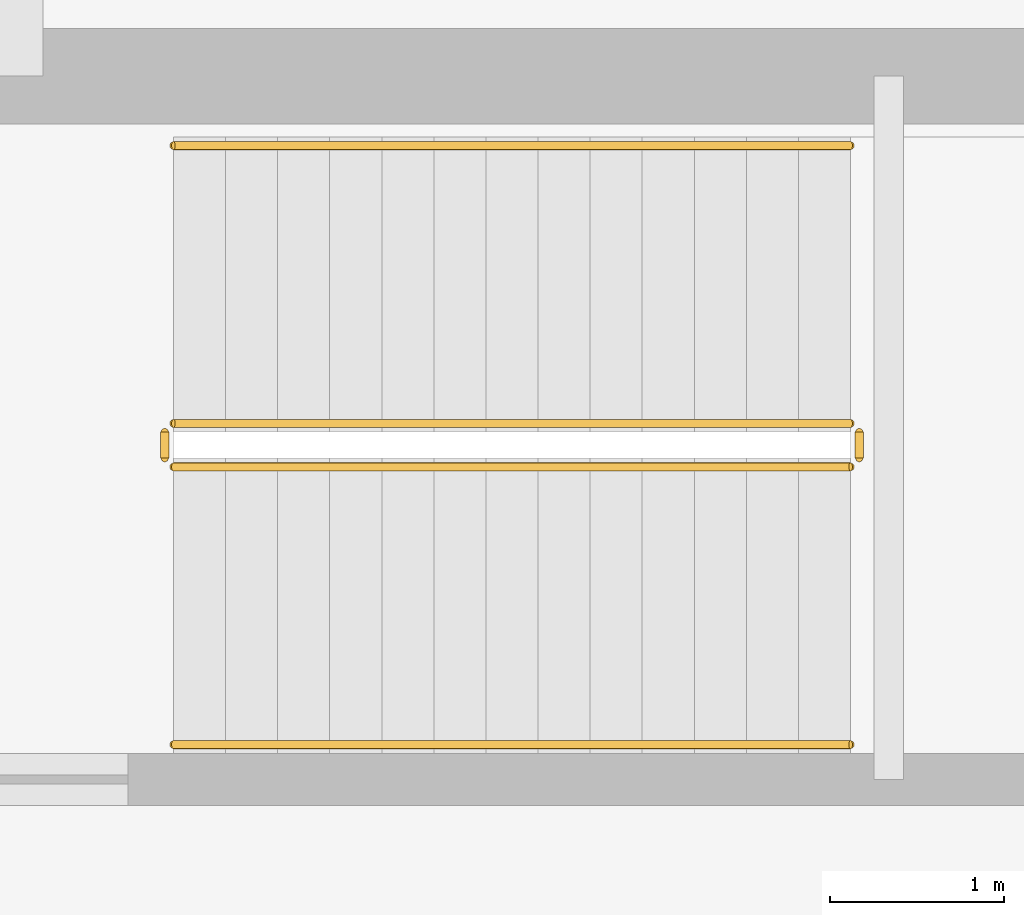
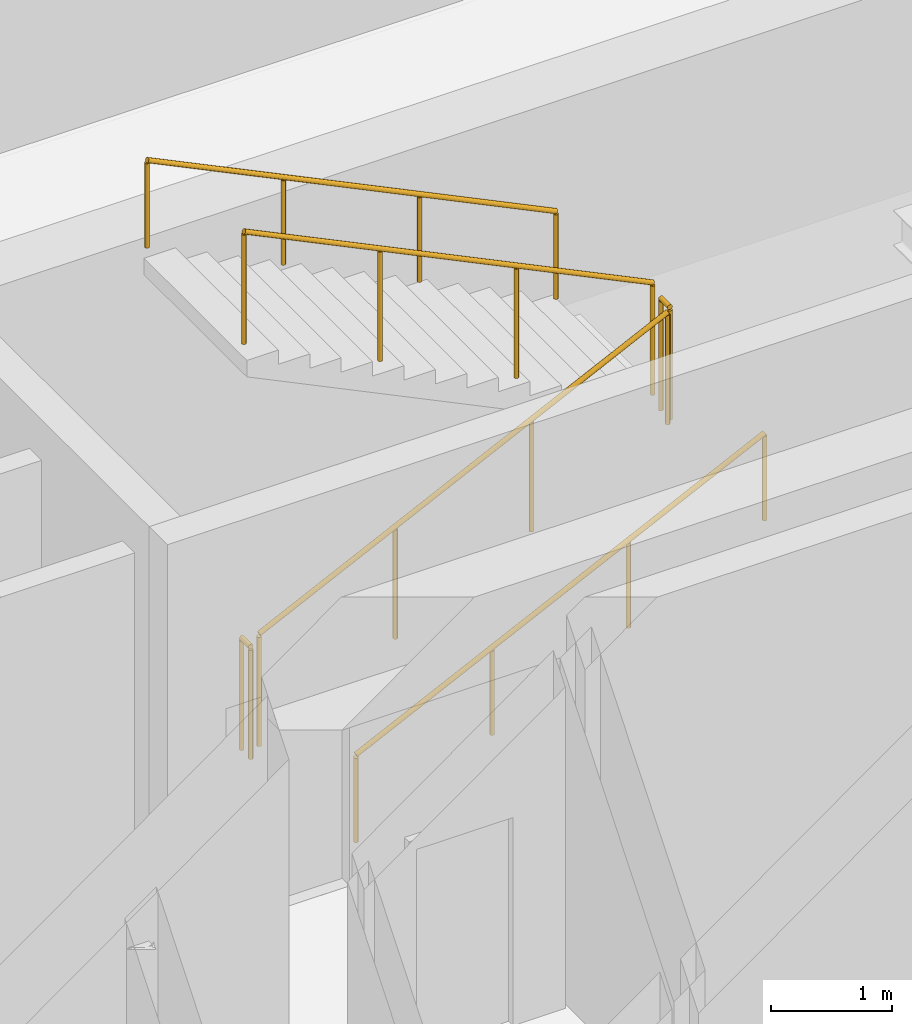
# One storey, part 41 of 44: 6 railings.
"""IFC4 building model written with IfcOpenShell, lengths in metres."""

from ifc_helpers import new_model, si_unit, direction, frame, origin, origin_2d, place, context, subcontext, project, spatial, circle, extrude, material, type_object, element, save


model = new_model("IFC4")

# Units and contexts
model_context = context("Model", 3, precision=1e-05, world=origin(), true_north=direction((0.0, 1.0)))
body_context = subcontext(model_context, "Body", "Model", "MODEL_VIEW")
ifc_project = project(units=[si_unit("LENGTHUNIT", "METRE"), si_unit("AREAUNIT", "SQUARE_METRE"), si_unit("VOLUMEUNIT", "CUBIC_METRE"), si_unit("PLANEANGLEUNIT", "RADIAN"), si_unit("MASSUNIT", "GRAM", prefix="KILO")], contexts=[model_context])

# Site, building, storey
site_placement = place(None, origin())
site = spatial("IfcSite", under=ifc_project, at=site_placement, CompositionType="ELEMENT")
building_placement = place(site_placement, origin())
building = spatial("IfcBuilding", under=site, at=building_placement, Name="Punatoya Terracotta Tower", CompositionType="ELEMENT")
storey_placement = place(building_placement, frame((0.0, 0.0, 267.60009765625)))
storey = spatial("IfcBuildingStorey", under=building, at=storey_placement, Name="L63", CompositionType="ELEMENT", Elevation=267.60009765625)

# Railings
ifc_material = material(Name="Steel S355", Category="steel")
railing_type_1 = type_object("IfcRailingType", Name="RLG-GRD-1150", PredefinedType="GUARDRAIL", material=ifc_material)
railing_1_placement = place(storey_placement, frame((-2.89990234375, 6.949951171875, 0.14453125)))
element("IfcRailing", 1, at=railing_1_placement, inside=storey, type_object=railing_type_1, Name="L63 ST-3 stair guard 1", PredefinedType="GUARDRAIL", context=body_context, shape_type="SweptSolid", body=[
    extrude(circle(Radius=0.02392578125, at=origin_2d()), frame((0.0, 0.0, 1.1259765625), z_axis=(0.900763166376, 0.0, 0.434310623978), x_axis=(0.0, 1.0, 0.0)), (0.0, 0.0, 1.0), 4.32958984375),
    extrude(circle(Radius=0.02099609375, at=origin_2d()), origin(), (0.0, 0.0, 1.0), 1.101806640625),
    extrude(circle(Radius=0.02099609375, at=origin_2d()), frame((1.300048828125, 0.0, 0.626708984375)), (0.0, 0.0, 1.0), 1.101806640625),
    extrude(circle(Radius=0.02099609375, at=origin_2d()), frame((2.599853515625, 0.0, 1.253662109375)), (0.0, 0.0, 1.0), 1.101806640625),
    extrude(circle(Radius=0.02099609375, at=origin_2d()), frame((3.89990234375, 0.0, 1.88037109375)), (0.0, 0.0, 1.0), 1.101806640625),
])
railing_2_placement = place(storey_placement, frame((1.050048828125, 7.0, 2.02490234375)))
element("IfcRailing", 2, at=railing_2_placement, inside=storey, type_object=railing_type_1, Name="L63 ST-3 stair guard 2", PredefinedType="GUARDRAIL", context=body_context, shape_type="SweptSolid", body=[
    extrude(circle(Radius=0.02392578125, at=origin_2d()), frame((0.0, 0.0, 1.1259765625), z_axis=(0.0, 1.0, 0.0), x_axis=(-1.0, 0.0, 0.0)), (0.0, 0.0, 1.0), 0.14990234375),
    extrude(circle(Radius=0.02099609375, at=origin_2d()), origin(), (0.0, 0.0, 1.0), 1.101806640625),
    extrude(circle(Radius=0.02099609375, at=origin_2d()), frame((0.0, 0.14990234375, 0.0)), (0.0, 0.0, 1.0), 1.101806640625),
])
railing_3_placement = place(storey_placement, frame((1.0, 7.199951171875, 2.16943359375)))
element("IfcRailing", 3, at=railing_3_placement, inside=storey, type_object=railing_type_1, Name="L63 ST-3 stair guard 3", PredefinedType="GUARDRAIL", context=body_context, shape_type="SweptSolid", body=[
    extrude(circle(Radius=0.02392578125, at=origin_2d()), frame((0.0, 0.0, 1.1259765625), z_axis=(-0.900763166376, 0.0, 0.434310623978), x_axis=(0.0, -1.0, 0.0)), (0.0, 0.0, 1.0), 4.32958984375),
    extrude(circle(Radius=0.02099609375, at=origin_2d()), origin(), (0.0, 0.0, 1.0), 1.101806640625),
    extrude(circle(Radius=0.02099609375, at=origin_2d()), frame((-1.300048828125, 0.0, 0.626708984375)), (0.0, 0.0, 1.0), 1.101806640625),
    extrude(circle(Radius=0.02099609375, at=origin_2d()), frame((-2.599853515625, 0.0, 1.253662109375)), (0.0, 0.0, 1.0), 1.101806640625),
    extrude(circle(Radius=0.02099609375, at=origin_2d()), frame((-3.89990234375, 0.0, 1.88037109375)), (0.0, 0.0, 1.0), 1.101806640625),
])
railing_4_placement = place(storey_placement, frame((-2.949951171875, 7.0, 0.0)))
element("IfcRailing", 4, at=railing_4_placement, inside=storey, type_object=railing_type_1, Name="L63 ST-3 stair guard 4", PredefinedType="GUARDRAIL", context=body_context, shape_type="SweptSolid", body=[
    extrude(circle(Radius=0.02392578125, at=origin_2d()), frame((0.0, 0.0, 1.1259765625), z_axis=(0.0, 1.0, 0.0), x_axis=(-1.0, 0.0, 0.0)), (0.0, 0.0, 1.0), 0.14990234375),
    extrude(circle(Radius=0.02099609375, at=origin_2d()), origin(), (0.0, 0.0, 1.0), 1.101806640625),
    extrude(circle(Radius=0.02099609375, at=origin_2d()), frame((0.0, 0.14990234375, 0.0)), (0.0, 0.0, 1.0), 1.101806640625),
])
railing_type_2 = type_object("IfcRailingType", Name="RLG-HND-900", PredefinedType="HANDRAIL", material=ifc_material)
railing_5_placement = place(storey_placement, frame((-2.89990234375, 5.35009765625, 0.14453125)))
element("IfcRailing", 5, at=railing_5_placement, inside=storey, type_object=railing_type_2, Name="L63 ST-3 stair handrail 1", PredefinedType="HANDRAIL", context=body_context, shape_type="SweptSolid", body=[
    extrude(circle(Radius=0.02392578125, at=origin_2d()), frame((0.0, 0.0, 0.8759765625), z_axis=(0.900763166376, 0.0, 0.434310623978), x_axis=(0.0, 1.0, 0.0)), (0.0, 0.0, 1.0), 4.32958984375),
    extrude(circle(Radius=0.02099609375, at=origin_2d()), origin(), (0.0, 0.0, 1.0), 0.851806640625),
    extrude(circle(Radius=0.02099609375, at=origin_2d()), frame((1.300048828125, 0.0, 0.626708984375)), (0.0, 0.0, 1.0), 0.851806640625),
    extrude(circle(Radius=0.02099609375, at=origin_2d()), frame((2.599853515625, 0.0, 1.253662109375)), (0.0, 0.0, 1.0), 0.851806640625),
    extrude(circle(Radius=0.02099609375, at=origin_2d()), frame((3.89990234375, 0.0, 1.88037109375)), (0.0, 0.0, 1.0), 0.851806640625),
])
railing_6_placement = place(storey_placement, frame((1.0, 8.800048828125, 2.16943359375)))
element("IfcRailing", 6, at=railing_6_placement, inside=storey, type_object=railing_type_2, Name="L63 ST-3 stair handrail 2", PredefinedType="HANDRAIL", context=body_context, shape_type="SweptSolid", body=[
    extrude(circle(Radius=0.02392578125, at=origin_2d()), frame((0.0, 0.0, 0.8759765625), z_axis=(-0.900763166376, 0.0, 0.434310623978), x_axis=(0.0, -1.0, 0.0)), (0.0, 0.0, 1.0), 4.32958984375),
    extrude(circle(Radius=0.02099609375, at=origin_2d()), origin(), (0.0, 0.0, 1.0), 0.851806640625),
    extrude(circle(Radius=0.02099609375, at=origin_2d()), frame((-1.300048828125, 0.0, 0.626708984375)), (0.0, 0.0, 1.0), 0.851806640625),
    extrude(circle(Radius=0.02099609375, at=origin_2d()), frame((-2.599853515625, 0.0, 1.253662109375)), (0.0, 0.0, 1.0), 0.851806640625),
    extrude(circle(Radius=0.02099609375, at=origin_2d()), frame((-3.89990234375, 0.0, 1.88037109375)), (0.0, 0.0, 1.0), 0.851806640625),
])

save(model, "model.ifc")
